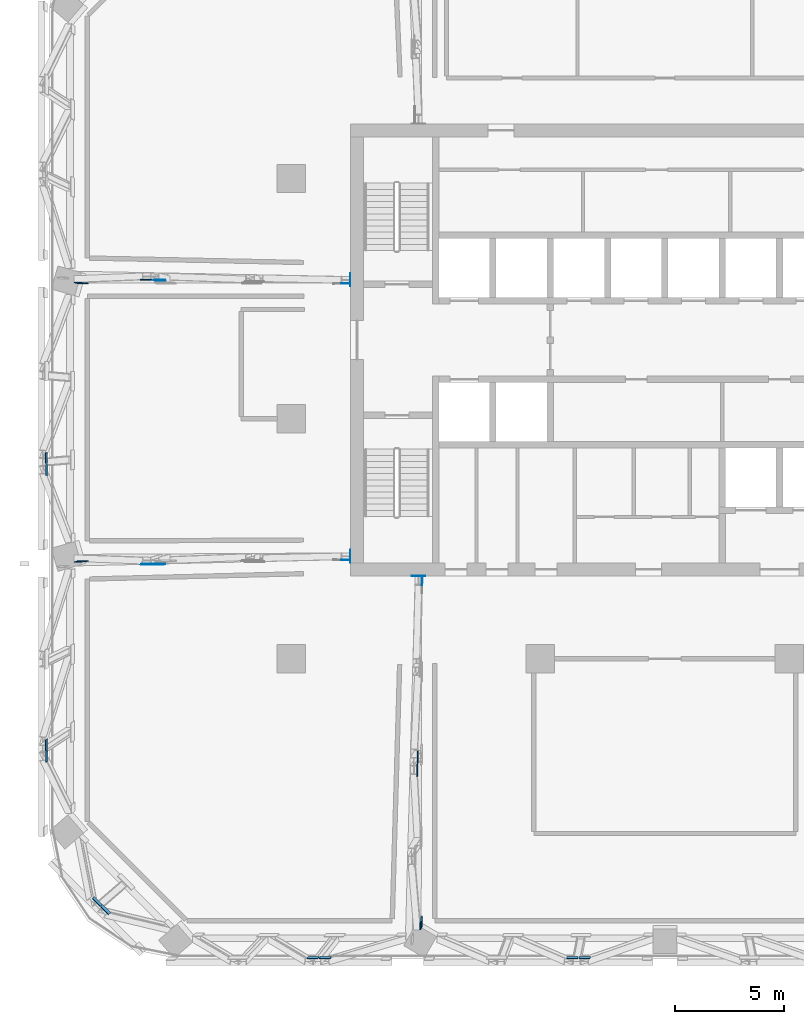
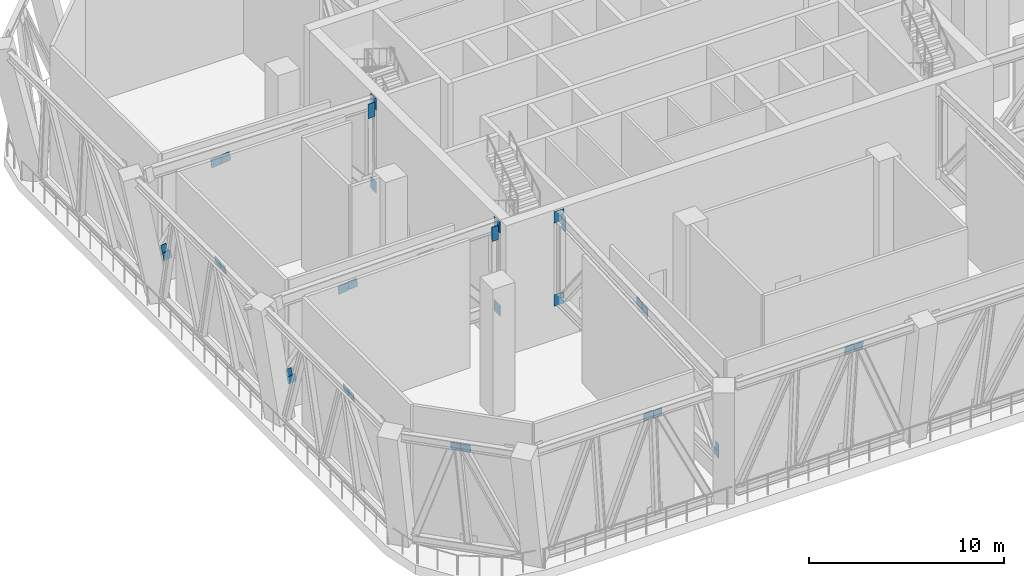
# One storey, part 14 of 24: 31 discrete accessories.
"""IFC4 building model written with IfcOpenShell, lengths in metres."""

import ifcopenshell
import ifcopenshell.guid

model = None  # the IFC model being written
_history = None  # IfcOwnerHistory: only IFC2X3 demands one
_inside = {}  # id of a spatial element -> (the spatial element, [elements in it])
_under = {}  # id of a project, library or spatial element -> (it, [spatial elements below it])
_declared = {}  # id of a project -> (the project, [libraries it declares])
_typed = {}  # id of a type object -> (the type object, [elements of that type])
_made_of = {}  # id of a material, layer set ... -> (it, [elements and type objects made of it])


def new_model(schema):
    """Start an empty IFC model of exactly this schema.

    Asked for "IFC4X3", IfcOpenShell would pick the latest addendum, in which some entities
    have other attributes; the version numbers below select the first issue.
    IFC2X3 requires an IfcOwnerHistory on every rooted entity: one is made here for all.
    """
    global model, _history
    if schema == "IFC4X3":
        model = ifcopenshell.file(schema_version=(4, 3, 0, 0))
    else:
        model = ifcopenshell.file(schema=schema)
    _inside.clear()
    _under.clear()
    _declared.clear()
    _typed.clear()
    _made_of.clear()
    _history = None
    if model.schema == "IFC2X3":
        org = make("IfcOrganization", Name="unknown")
        user = make(
            "IfcPersonAndOrganization",
            ThePerson=make("IfcPerson", FamilyName="unknown"),
            TheOrganization=org,
        )
        app = make(
            "IfcApplication",
            ApplicationDeveloper=org,
            Version="unknown",
            ApplicationFullName="unknown",
            ApplicationIdentifier="unknown",
        )
        _history = make(
            "IfcOwnerHistory",
            OwningUser=user,
            OwningApplication=app,
            ChangeAction="ADDED",
            CreationDate=0,
        )
    return model


def make(cls, **values):
    """One entity of the class cls with the attributes given. An attribute that is None is left unset."""
    return model.create_entity(
        cls, **{name: value for name, value in values.items() if value is not None}
    )


def rooted(cls, **values):
    """An entity with a GlobalId (a new one), such as an element, a storey or a relation."""
    return make(cls, GlobalId=ifcopenshell.guid.new(), OwnerHistory=_history, **values)


def si_unit(unit_type, name, prefix=None):
    """IfcSIUnit, for example si_unit("LENGTHUNIT", "METRE", prefix="MILLI")."""
    return make("IfcSIUnit", UnitType=unit_type, Prefix=prefix, Name=name)


def assignment(units):
    """IfcUnitAssignment: the units of a project."""
    return None if units is None else make("IfcUnitAssignment", Units=units)


def point(xyz):
    """IfcCartesianPoint."""
    return None if xyz is None else make("IfcCartesianPoint", Coordinates=xyz)


def direction(xyz):
    """IfcDirection."""
    return None if xyz is None else make("IfcDirection", DirectionRatios=xyz)


def frame(location, z_axis=None, x_axis=None):
    """IfcAxis2Placement3D, a coordinate frame: its origin and axes. An axis left out is left unset."""
    return make(
        "IfcAxis2Placement3D",
        Location=point(location),
        Axis=direction(z_axis),
        RefDirection=direction(x_axis),
    )


def frame_2d(location, x_axis=None):
    """IfcAxis2Placement2D, a coordinate frame in the plane: its origin and x axis."""
    return make(
        "IfcAxis2Placement2D", Location=point(location), RefDirection=direction(x_axis)
    )


def origin():
    """The frame at (0, 0, 0) with its axes left unset."""
    return frame((0.0, 0.0, 0.0))


def origin_2d():
    """The frame at (0, 0) in the plane with its x axis left unset."""
    return frame_2d((0.0, 0.0))


def place(relative_to, where):
    """IfcLocalPlacement: puts the frame where relative to a parent placement (None: the world)."""
    return make(
        "IfcLocalPlacement", PlacementRelTo=relative_to, RelativePlacement=where
    )


def context(
    kind, dimensions, precision=None, world=None, true_north=None, identifier=None
):
    """IfcGeometricRepresentationContext, for example the 3D "Model" context."""
    return make(
        "IfcGeometricRepresentationContext",
        ContextIdentifier=identifier,
        ContextType=kind,
        CoordinateSpaceDimension=dimensions,
        Precision=precision,
        WorldCoordinateSystem=world,
        TrueNorth=true_north,
    )


def subcontext(parent, identifier, kind, view, scale=None):
    """IfcGeometricRepresentationSubContext, for example "Body" below "Model"."""
    return make(
        "IfcGeometricRepresentationSubContext",
        ContextIdentifier=identifier,
        ContextType=kind,
        ParentContext=parent,
        TargetScale=scale,
        TargetView=view,
    )


def project(units=None, contexts=None):
    """IfcProject with its units and contexts."""
    return rooted(
        "IfcProject",
        Name="project",
        RepresentationContexts=contexts,
        UnitsInContext=assignment(units),
    )


def spatial(cls, under=None, at=None, **own):
    """A site, building, storey or space (cls), placed at a placement, below another one or the project."""
    s = rooted(cls, ObjectPlacement=at, **own)
    if under is not None:
        _under.setdefault(under.id(), (under, []))[1].append(s)
    return s


def profile(cls, at=None, kind="AREA", **sizes):
    """A parametric profile (cls). Its sizes go by their IFC names, for example OverallWidth=200.0."""
    return make(cls, ProfileType=kind, Position=at, **sizes)


def rectangle(**sizes):
    """IfcRectangleProfileDef."""
    return profile("IfcRectangleProfileDef", **sizes)


def extrude(swept, where, along, depth):
    """IfcExtrudedAreaSolid: the profile swept, set in the frame where, extruded along a direction by depth."""
    return make(
        "IfcExtrudedAreaSolid",
        SweptArea=swept,
        Position=where,
        ExtrudedDirection=direction(along),
        Depth=depth,
    )


def shape(context_of_items, identifier, shape_type, items):
    """IfcShapeRepresentation: the items that make up one representation, for example the "Body"."""
    return make(
        "IfcShapeRepresentation",
        ContextOfItems=context_of_items,
        RepresentationIdentifier=identifier,
        RepresentationType=shape_type,
        Items=items,
    )


def material(Name=None, Category=None):
    """IfcMaterial."""
    return make("IfcMaterial", Name=Name, Category=Category)


def layer(
    of_material, thickness, ventilated=None, Name=None, Category=None, Priority=None
):
    """IfcMaterialLayer: one layer of a wall or slab, of a material (None: an air gap)."""
    return make(
        "IfcMaterialLayer",
        Material=of_material,
        LayerThickness=thickness,
        IsVentilated=ventilated,
        Name=Name,
        Category=Category,
        Priority=Priority,
    )


def layer_set(layers, Name=None):
    """IfcMaterialLayerSet."""
    return make("IfcMaterialLayerSet", MaterialLayers=layers, LayerSetName=Name)


def made_of(thing, what):
    """Note that an element or type object is made of a material, layer set ...; save() writes the relation."""
    if what is not None:
        _made_of.setdefault(what.id(), (what, []))[1].append(thing)
    return thing


def type_object(cls, material=None, **own):
    """A type object (cls), such as IfcWallType, which elements share."""
    return made_of(rooted(cls, **own), material)


def element(
    cls,
    number,
    at=None,
    inside=None,
    cuts=None,
    type_object=None,
    material=None,
    context=None,
    identifier="Body",
    shape_type=None,
    held_by="IfcProductDefinitionShape",
    body=None,
    shapes=None,
    **own,
):
    """One element of the class cls, such as IfcWall. Its Tag is "e" and its number.

    at: its placement. inside: the storey or other place that contains it. cuts: it is an
    opening in that element (IfcRelVoidsElement). A single representation is given by context,
    identifier, shape_type and body (its items); several are given by shapes. held_by: the class
    of the entity that holds the representations. save() writes the other relations.
    """
    e = rooted(cls, Tag="e%d" % number, ObjectPlacement=at, **own)
    if body is not None:
        shapes = [shape(context, identifier, shape_type, body)]
    if shapes is not None:
        e.Representation = make(held_by, Representations=shapes)
    if inside is not None:
        _inside.setdefault(inside.id(), (inside, []))[1].append(e)
    if cuts is not None:
        rooted(
            "IfcRelVoidsElement", RelatingBuildingElement=cuts, RelatedOpeningElement=e
        )
    if type_object is not None:
        _typed.setdefault(type_object.id(), (type_object, []))[1].append(e)
    return made_of(e, material)


def aggregate(whole, parts):
    """IfcRelAggregates: a whole, such as a stair, and the parts it consists of."""
    return rooted("IfcRelAggregates", RelatingObject=whole, RelatedObjects=parts)


def save(model, path):
    """Write the relations noted so far, then the file.

    IfcRelAggregates (storeys below a building ...), IfcRelContainedInSpatialStructure (elements
    in a storey), IfcRelDefinesByType, IfcRelAssociatesMaterial and IfcRelDeclares: one each for
    every whole, place, type object, material and project.
    """
    for whole, parts in _under.values():
        aggregate(whole, parts)
    for where, things in _inside.values():
        rooted(
            "IfcRelContainedInSpatialStructure",
            RelatedElements=things,
            RelatingStructure=where,
        )
    for kind, things in _typed.values():
        rooted("IfcRelDefinesByType", RelatedObjects=things, RelatingType=kind)
    for what, things in _made_of.values():
        rooted("IfcRelAssociatesMaterial", RelatedObjects=things, RelatingMaterial=what)
    for by, libraries in _declared.values():
        rooted("IfcRelDeclares", RelatingContext=by, RelatedDefinitions=libraries)
    model.write(path)


model = new_model("IFC4")

# Units and contexts
model_context = context("Model", 3, precision=1e-05, world=origin(), true_north=direction((0.0, 1.0)))
body_context = subcontext(model_context, "Body", "Model", "MODEL_VIEW")
ifc_project = project(units=[si_unit("LENGTHUNIT", "METRE"), si_unit("AREAUNIT", "SQUARE_METRE"), si_unit("VOLUMEUNIT", "CUBIC_METRE"), si_unit("PLANEANGLEUNIT", "RADIAN"), si_unit("MASSUNIT", "GRAM", prefix="KILO")], contexts=[model_context])

# Site, building, storey
site_placement = place(None, origin())
site = spatial("IfcSite", under=ifc_project, at=site_placement, CompositionType="ELEMENT")
building_placement = place(site_placement, origin())
building = spatial("IfcBuilding", under=site, at=building_placement, Name="Mopane Tessera Tower", CompositionType="ELEMENT")
storey_placement = place(building_placement, frame((0.0, 0.0, 259.0)))
storey = spatial("IfcBuildingStorey", under=building, at=storey_placement, Name="L56", CompositionType="ELEMENT", Elevation=259.0)

# Discrete accessories
ifc_material_1 = material(Name="Structural steel S460", Category="steel")
ifc_layer_1 = layer(ifc_material_1, 0.014892578125)
ifc_layer_set_1 = layer_set([ifc_layer_1], Name="Structural steel S460")
discrete_accessory_type_1 = type_object("IfcDiscreteAccessoryType", Name="Cast-in anchor plate 15 mm", PredefinedType="ANCHORPLATE", material=ifc_layer_set_1)
discrete_accessory_1_placement = place(storey_placement, frame((-14.407470703125, 6.354248046875, 2.10009765625), z_axis=(0.0, 0.0, 1.0), x_axis=(-1.0, 0.0, 0.0)))
element("IfcDiscreteAccessory", 1, at=discrete_accessory_1_placement, inside=storey, type_object=discrete_accessory_type_1, Name="Cast-in anchor plate s ot L56 W1 b", PredefinedType="ANCHORPLATE", context=body_context, shape_type="SweptSolid", body=[
    extrude(rectangle(XDim=0.014892578125, YDim=0.60400390625, at=origin_2d()), origin(), (0.0, 0.0, 1.0), 0.7158203125),
])
discrete_accessory_2_placement = place(storey_placement, frame((-14.407470703125, 6.3544921875, 7.283935546875), z_axis=(0.0, 0.0, 1.0), x_axis=(-1.0, 0.0, 0.0)))
element("IfcDiscreteAccessory", 2, at=discrete_accessory_2_placement, inside=storey, type_object=discrete_accessory_type_1, Name="Cast-in anchor plate s ot L56 W1 t", PredefinedType="ANCHORPLATE", context=body_context, shape_type="SweptSolid", body=[
    extrude(rectangle(XDim=0.014892578125, YDim=0.60400390625, at=origin_2d()), origin(), (0.0, 0.0, 1.0), 0.716064453125),
])
discrete_accessory_3_placement = place(storey_placement, frame((-14.407470703125, -6.300048828125, 2.10009765625), z_axis=(0.0, 0.0, 1.0), x_axis=(-1.0, 0.0, 0.0)))
element("IfcDiscreteAccessory", 3, at=discrete_accessory_3_placement, inside=storey, type_object=discrete_accessory_type_1, Name="Cast-in anchor plate s ot L56 W2 b", PredefinedType="ANCHORPLATE", context=body_context, shape_type="SweptSolid", body=[
    extrude(rectangle(XDim=0.014892578125, YDim=0.60400390625, at=origin_2d()), origin(), (0.0, 0.0, 1.0), 0.7158203125),
])
discrete_accessory_4_placement = place(storey_placement, frame((-14.407470703125, -6.30029296875, 7.283935546875), z_axis=(0.0, 0.0, 1.0), x_axis=(-1.0, 0.0, 0.0)))
element("IfcDiscreteAccessory", 4, at=discrete_accessory_4_placement, inside=storey, type_object=discrete_accessory_type_1, Name="Cast-in anchor plate s ot L56 W2 t", PredefinedType="ANCHORPLATE", context=body_context, shape_type="SweptSolid", body=[
    extrude(rectangle(XDim=0.014892578125, YDim=0.60400390625, at=origin_2d()), origin(), (0.0, 0.0, 1.0), 0.716064453125),
])
discrete_accessory_5_placement = place(storey_placement, frame((-11.28125, -7.20751953125, 2.10009765625), z_axis=(0.0, 0.0, 1.0), x_axis=(0.0, -1.0, 0.0)))
element("IfcDiscreteAccessory", 5, at=discrete_accessory_5_placement, inside=storey, type_object=discrete_accessory_type_1, Name="Cast-in anchor plate s ot L56 S1 b", PredefinedType="ANCHORPLATE", context=body_context, shape_type="SweptSolid", body=[
    extrude(rectangle(XDim=0.014892578125, YDim=0.60400390625, at=origin_2d()), origin(), (0.0, 0.0, 1.0), 0.7158203125),
])
discrete_accessory_6_placement = place(storey_placement, frame((-11.28173828125, -7.20751953125, 7.283935546875), z_axis=(0.0, 0.0, 1.0), x_axis=(0.0, -1.0, 0.0)))
element("IfcDiscreteAccessory", 6, at=discrete_accessory_6_placement, inside=storey, type_object=discrete_accessory_type_1, Name="Cast-in anchor plate s ot L56 S1 t", PredefinedType="ANCHORPLATE", context=body_context, shape_type="SweptSolid", body=[
    extrude(rectangle(XDim=0.014892578125, YDim=0.60400390625, at=origin_2d()), origin(), (0.0, 0.0, 1.0), 0.716064453125),
])
ifc_material_2 = material(Name="Structural steel S460", Category="steel")
ifc_layer_2 = layer(ifc_material_2, 0.030029296875)
ifc_layer_set_2 = layer_set([ifc_layer_2], Name="Structural steel S460")
discrete_accessory_type_2 = type_object("IfcDiscreteAccessoryType", Name="Truss node plate 30 mm", PredefinedType="BRACKET", material=ifc_layer_set_2)
discrete_accessory_7_placement = place(storey_placement, frame((-14.627197265625, 6.19091796875, 6.833984375), z_axis=(-0.002712957104, 0.000813887131, 0.999995988718), x_axis=(-0.012923816666, -0.999916180735, 0.000778760276)))
element("IfcDiscreteAccessory", 7, at=discrete_accessory_7_placement, inside=storey, type_object=discrete_accessory_type_2, Name="Truss node plate s ot L56 W1 1", PredefinedType="BRACKET", context=body_context, shape_type="SweptSolid", body=[
    extrude(rectangle(XDim=0.030029296875, YDim=0.389892578125, at=origin_2d()), origin(), (0.0, 0.0, 1.0), 0.89990234375),
])
discrete_accessory_8_placement = place(storey_placement, frame((-23.12548828125, 6.337158203125, 6.9521484375), z_axis=(-0.107021648033, 0.031027284514, 0.99377244602), x_axis=(-0.006921590676, -0.999511987991, 0.03046108081)))
element("IfcDiscreteAccessory", 8, at=discrete_accessory_8_placement, inside=storey, type_object=discrete_accessory_type_2, Name="Truss node plate s ot L56 W1 4", PredefinedType="BRACKET", context=body_context, shape_type="SweptSolid", body=[
    extrude(rectangle(XDim=0.030029296875, YDim=0.539794921875, at=origin_2d()), origin(), (0.0, 0.0, 1.0), 0.54296875),
])
discrete_accessory_9_placement = place(storey_placement, frame((-23.699462890625, 6.344970703125, 6.883056640625), z_axis=(-0.114068157384, 0.032783368067, 0.992931873921), x_axis=(-0.005045104727, -0.999461620543, 0.032419376616)))
element("IfcDiscreteAccessory", 9, at=discrete_accessory_9_placement, inside=storey, type_object=discrete_accessory_type_2, Name="Truss node plate s ot L56 W1 6", PredefinedType="BRACKET", context=body_context, shape_type="SweptSolid", body=[
    extrude(rectangle(XDim=0.030029296875, YDim=0.539794921875, at=origin_2d()), origin(), (0.0, 0.0, 1.0), 0.543701171875),
])
discrete_accessory_10_placement = place(storey_placement, frame((-26.64501953125, 6.192626953125, 2.218505859375), z_axis=(-0.158358071982, 0.045245163423, 0.986344562628), x_axis=(-0.006936387439, -0.998975884706, 0.044710941682)))
element("IfcDiscreteAccessory", 10, at=discrete_accessory_10_placement, inside=storey, type_object=discrete_accessory_type_2, Name="Truss node plate s ot L56 W1 7", PredefinedType="BRACKET", context=body_context, shape_type="SweptSolid", body=[
    extrude(rectangle(XDim=0.030029296875, YDim=0.47900390625, at=origin_2d()), origin(), (0.0, 0.0, 1.0), 0.485595703125),
])
discrete_accessory_11_placement = place(storey_placement, frame((-26.809326171875, 6.21533203125, 2.70751953125), z_axis=(-0.158844497985, 0.04574319404, 0.9862433704), x_axis=(-0.009097945802, -0.998951526842, 0.044867297691)))
element("IfcDiscreteAccessory", 11, at=discrete_accessory_11_placement, inside=storey, type_object=discrete_accessory_type_2, Name="Truss node plate s ot L56 W1 9", PredefinedType="BRACKET", context=body_context, shape_type="SweptSolid", body=[
    extrude(rectangle(XDim=0.030029296875, YDim=0.319091796875, at=origin_2d()), origin(), (0.0, 0.0, 1.0), 0.485595703125),
])
discrete_accessory_12_placement = place(storey_placement, frame((-14.626708984375, -6.4716796875, 6.833984375), z_axis=(-0.002712957104, -0.000813887131, 0.999995988718), x_axis=(0.017020831454, -0.999854840511, -0.000767595281)))
element("IfcDiscreteAccessory", 12, at=discrete_accessory_12_placement, inside=storey, type_object=discrete_accessory_type_2, Name="Truss node plate s ot L56 W2 1", PredefinedType="BRACKET", context=body_context, shape_type="SweptSolid", body=[
    extrude(rectangle(XDim=0.030029296875, YDim=0.389892578125, at=origin_2d()), origin(), (0.0, 0.0, 1.0), 0.89990234375),
])
discrete_accessory_13_placement = place(storey_placement, frame((-23.12548828125, -6.65087890625, 6.9521484375), z_axis=(-0.107023130416, -0.030578037262, 0.99378621101), x_axis=(0.007092396014, -0.999525011533, -0.029990819246)))
element("IfcDiscreteAccessory", 13, at=discrete_accessory_13_placement, inside=storey, type_object=discrete_accessory_type_2, Name="Truss node plate s ot L56 W2 4", PredefinedType="BRACKET", context=body_context, shape_type="SweptSolid", body=[
    extrude(rectangle(XDim=0.030029296875, YDim=0.539794921875, at=origin_2d()), origin(), (0.0, 0.0, 1.0), 0.54296875),
])
discrete_accessory_14_placement = place(storey_placement, frame((-23.69970703125, -6.660888671875, 6.883056640625), z_axis=(-0.114068157384, -0.032783368067, 0.992931873921), x_axis=(0.009091749208, -0.999447987117, -0.031954047382)))
element("IfcDiscreteAccessory", 14, at=discrete_accessory_14_placement, inside=storey, type_object=discrete_accessory_type_2, Name="Truss node plate s ot L56 W2 6", PredefinedType="BRACKET", context=body_context, shape_type="SweptSolid", body=[
    extrude(rectangle(XDim=0.030029296875, YDim=0.539794921875, at=origin_2d()), origin(), (0.0, 0.0, 1.0), 0.543701171875),
])
discrete_accessory_15_placement = place(storey_placement, frame((-26.645263671875, -6.522705078125, 2.218505859375), z_axis=(-0.158354450109, -0.045746841143, 0.986322003534), x_axis=(0.013871005367, -0.998930615827, -0.044104647987)))
element("IfcDiscreteAccessory", 15, at=discrete_accessory_15_placement, inside=storey, type_object=discrete_accessory_type_2, Name="Truss node plate s ot L56 W2 7", PredefinedType="BRACKET", context=body_context, shape_type="SweptSolid", body=[
    extrude(rectangle(XDim=0.030029296875, YDim=0.47900390625, at=origin_2d()), origin(), (0.0, 0.0, 1.0), 0.485595703125),
])
discrete_accessory_16_placement = place(storey_placement, frame((-26.8095703125, -6.5458984375, 2.70751953125), z_axis=(-0.159334428489, -0.045739536254, 0.986164506926), x_axis=(0.012278366435, -0.998940674039, -0.044348297236)))
element("IfcDiscreteAccessory", 16, at=discrete_accessory_16_placement, inside=storey, type_object=discrete_accessory_type_2, Name="Truss node plate s ot L56 W2 9", PredefinedType="BRACKET", context=body_context, shape_type="SweptSolid", body=[
    extrude(rectangle(XDim=0.030029296875, YDim=0.319091796875, at=origin_2d()), origin(), (0.0, 0.0, 1.0), 0.48583984375),
])
discrete_accessory_17_placement = place(storey_placement, frame((-11.119384765625, -7.42333984375, 6.833984375), z_axis=(-0.001085184599, -0.001899073048, 0.999997607945), x_axis=(0.999989180557, 0.004521333272, 0.001093761816)))
element("IfcDiscreteAccessory", 17, at=discrete_accessory_17_placement, inside=storey, type_object=discrete_accessory_type_2, Name="Truss node plate s ot L56 S1 1", PredefinedType="BRACKET", context=body_context, shape_type="SweptSolid", body=[
    extrude(rectangle(XDim=0.030029296875, YDim=0.389892578125, at=origin_2d()), origin(), (0.0, 0.0, 1.0), 0.89990234375),
])
discrete_accessory_18_placement = place(storey_placement, frame((-11.3115234375, -15.491943359375, 6.948486328125), z_axis=(-0.040574152172, -0.070122719515, 0.996712868575), x_axis=(0.999176151, -0.003716398101, 0.04041296398)))
element("IfcDiscreteAccessory", 18, at=discrete_accessory_18_placement, inside=storey, type_object=discrete_accessory_type_2, Name="Truss node plate s ot L56 S1 4", PredefinedType="BRACKET", context=body_context, shape_type="SweptSolid", body=[
    extrude(rectangle(XDim=0.030029296875, YDim=0.5517578125, at=origin_2d()), origin(), (0.0, 0.0, 1.0), 0.553466796875),
])
discrete_accessory_19_placement = place(storey_placement, frame((-11.322998046875, -16.071533203125, 6.888671875), z_axis=(-0.043181339478, -0.074906405217, 0.996255189386), x_axis=(0.999066986327, -0.002511794014, 0.043114356337)))
element("IfcDiscreteAccessory", 19, at=discrete_accessory_19_placement, inside=storey, type_object=discrete_accessory_type_2, Name="Truss node plate s ot L56 S1 6", PredefinedType="BRACKET", context=body_context, shape_type="SweptSolid", body=[
    extrude(rectangle(XDim=0.030029296875, YDim=0.5517578125, at=origin_2d()), origin(), (0.0, 0.0, 1.0), 0.553955078125),
])
discrete_accessory_20_placement = place(storey_placement, frame((-11.1240234375, -23.0302734375, 2.220703125), z_axis=(-0.080237776938, -0.137623022469, 0.987229356755), x_axis=(0.996767188508, -0.015183570294, 0.078896331396)))
element("IfcDiscreteAccessory", 20, at=discrete_accessory_20_placement, inside=storey, type_object=discrete_accessory_type_2, Name="Truss node plate s ot L56 S1 9", PredefinedType="BRACKET", context=body_context, shape_type="SweptSolid", body=[
    extrude(rectangle(XDim=0.030029296875, YDim=0.474609375, at=origin_2d()), origin(), (0.0, 0.0, 1.0), 0.480712890625),
])
discrete_accessory_21_placement = place(storey_placement, frame((-11.16357421875, -23.1796875, 2.705322265625), z_axis=(-0.080272397951, -0.138190457233, 0.98714727354), x_axis=(0.996769660863, -0.013678388024, 0.079140033388)))
element("IfcDiscreteAccessory", 21, at=discrete_accessory_21_placement, inside=storey, type_object=discrete_accessory_type_2, Name="Truss node plate s ot L56 S1 11", PredefinedType="BRACKET", context=body_context, shape_type="SweptSolid", body=[
    extrude(rectangle(XDim=0.030029296875, YDim=0.326904296875, at=origin_2d()), origin(), (0.0, 0.0, 1.0), 0.48046875),
])
discrete_accessory_22_placement = place(storey_placement, frame((-16.0810546875, -24.653564453125, 7.201416015625), z_axis=(-0.116149122259, -0.146227580214, 0.982408711374), x_axis=(-0.017985289309, 0.989250642243, 0.145119592714)))
element("IfcDiscreteAccessory", 22, at=discrete_accessory_22_placement, inside=storey, type_object=discrete_accessory_type_2, Name="Truss node plate s bt L56 S0-S1 4", PredefinedType="BRACKET", context=body_context, shape_type="SweptSolid", body=[
    extrude(rectangle(XDim=0.030029296875, YDim=0.518310546875, at=origin_2d()), origin(), (0.0, 0.0, 1.0), 0.527587890625),
])
discrete_accessory_23_placement = place(storey_placement, frame((-15.52197265625, -24.650634765625, 7.18115234375), z_axis=(-0.112037649384, -0.14629709589, 0.982875742327), x_axis=(-0.017996486259, 0.989239677644, 0.145192929091)))
element("IfcDiscreteAccessory", 23, at=discrete_accessory_23_placement, inside=storey, type_object=discrete_accessory_type_2, Name="Truss node plate s bt L56 S0-S1 6", PredefinedType="BRACKET", context=body_context, shape_type="SweptSolid", body=[
    extrude(rectangle(XDim=0.030029296875, YDim=0.518310546875, at=origin_2d()), origin(), (0.0, 0.0, 1.0), 0.52734375),
])
for number, where, z_axis, x_axis, name in (
    (24, (-4.22509765625, -24.653564453125, 7.201171875), (-0.030791497452, -0.147425957497, 0.988593683341), (-0.00473613124, 0.989073084274, 0.147349933916), "Truss node plate s bt L56 S1-S2 4"),
    (25, (-3.668701171875, -24.650390625, 7.180419921875), (-0.027062116464, -0.147441875908, 0.98870042737), (-0.002053922501, 0.989068781336, 0.147440588673), "Truss node plate s bt L56 S1-S2 6"),
):
    element("IfcDiscreteAccessory", number, at=place(storey_placement, frame(where, z_axis=z_axis, x_axis=x_axis)), inside=storey, type_object=discrete_accessory_type_2, Name=name, PredefinedType="BRACKET", context=body_context, shape_type="SweptSolid", body=[
        extrude(rectangle(XDim=0.030029296875, YDim=0.517333984375, at=origin_2d()), origin(), (0.0, 0.0, 1.0), 0.523193359375),
    ])
discrete_accessory_24_placement = place(storey_placement, frame((-28.27490234375, -1.80322265625, 7.200439453125), z_axis=(-0.17000321024, -0.013296340466, 0.985353802367), x_axis=(0.985443481189, -0.002529361596, 0.169984551393)))
element("IfcDiscreteAccessory", 26, at=discrete_accessory_24_placement, inside=storey, type_object=discrete_accessory_type_2, Name="Truss node plate s bt L56 W1-W2 4", PredefinedType="BRACKET", context=body_context, shape_type="SweptSolid", body=[
    extrude(rectangle(XDim=0.030029296875, YDim=0.506591796875, at=origin_2d()), origin(), (0.0, 0.0, 1.0), 0.51416015625),
])
discrete_accessory_25_placement = place(storey_placement, frame((-28.270263671875, -2.34765625, 7.173583984375), z_axis=(-0.170071565964, -0.017577228885, 0.985274938012), x_axis=(0.985430995909, -0.001826752805, 0.170065914504)))
element("IfcDiscreteAccessory", 27, at=discrete_accessory_25_placement, inside=storey, type_object=discrete_accessory_type_2, Name="Truss node plate s bt L56 W1-W2 6", PredefinedType="BRACKET", context=body_context, shape_type="SweptSolid", body=[
    extrude(rectangle(XDim=0.030029296875, YDim=0.506591796875, at=origin_2d()), origin(), (0.0, 0.0, 1.0), 0.513916015625),
])
for number, where, z_axis, x_axis, name in (
    (28, (-28.27490234375, -14.903564453125, 7.200439453125), (-0.16905455709, -0.109720645688, 0.979480442192), (0.985606533864, -0.018251832986, 0.168067340659), "Truss node plate s bt L56 W2-W3 4"),
    (29, (-28.270263671875, -15.44677734375, 7.17431640625), (-0.16905238283, -0.11395731656, 0.978996946809), (0.985605970798, -0.018064154895, 0.168090917764), "Truss node plate s bt L56 W2-W3 6"),
):
    element("IfcDiscreteAccessory", number, at=place(storey_placement, frame(where, z_axis=z_axis, x_axis=x_axis)), inside=storey, type_object=discrete_accessory_type_2, Name=name, PredefinedType="BRACKET", context=body_context, shape_type="SweptSolid", body=[
        extrude(rectangle(XDim=0.030029296875, YDim=0.5078125, at=origin_2d()), origin(), (0.0, 0.0, 1.0), 0.5185546875),
    ])
for number, where, z_axis, x_axis, name in (
    (30, (-25.94970703125, -22.0771484375, 7.200439453125), (-0.168043467623, -0.145273350059, 0.975016434093), (0.685949424124, 0.693118660585, 0.221494717528), "Truss node plate s bt L56 W3-S0 2"),
    (31, (-25.5703125, -22.45166015625, 7.18603515625), (-0.168485959207, -0.145262218884, 0.974941726112), (0.68682026668, 0.692151117597, 0.221821441002), "Truss node plate s bt L56 W3-S0 4"),
):
    element("IfcDiscreteAccessory", number, at=place(storey_placement, frame(where, z_axis=z_axis, x_axis=x_axis)), inside=storey, type_object=discrete_accessory_type_2, Name=name, PredefinedType="BRACKET", context=body_context, shape_type="SweptSolid", body=[
        extrude(rectangle(XDim=0.030029296875, YDim=0.522705078125, at=origin_2d()), origin(), (0.0, 0.0, 1.0), 0.5361328125),
    ])

save(model, "model.ifc")
